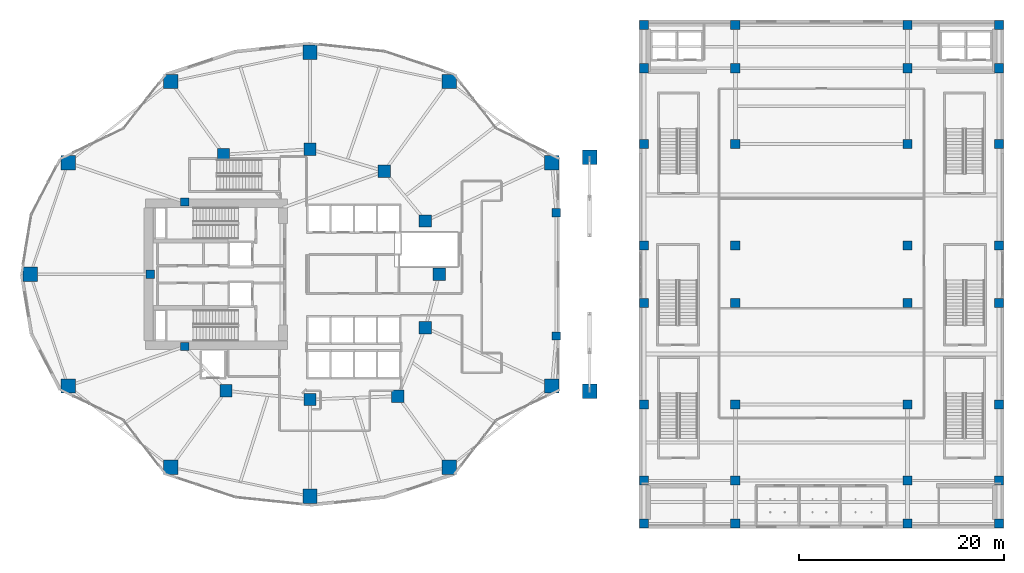
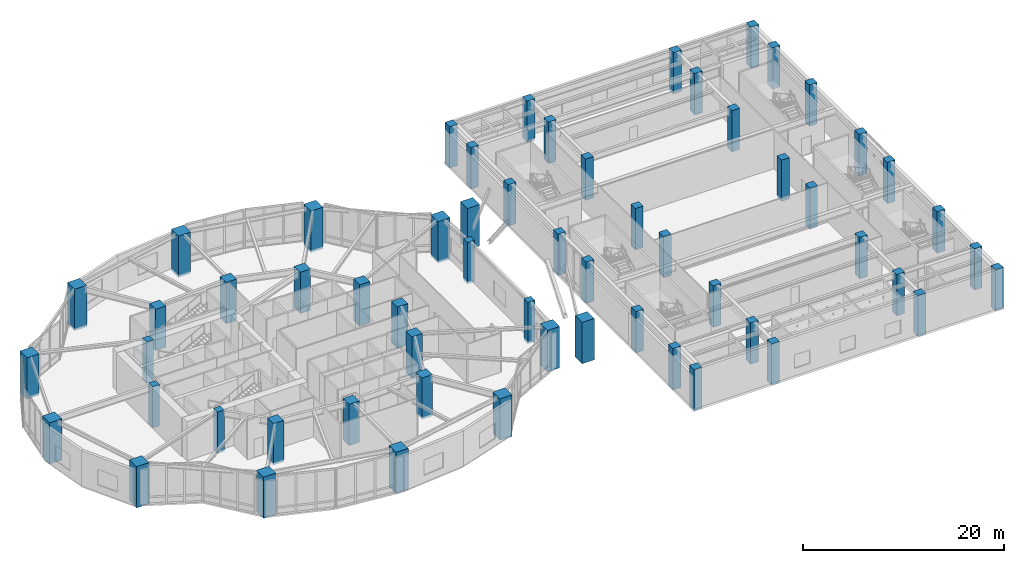
# One storey, part 1 of 24: 59 columns.
"""IFC4 building model written with IfcOpenShell, lengths in metres."""

from ifc_helpers import new_model, si_unit, direction, frame, origin, origin_2d, place, context, subcontext, project, spatial, rectangle, extrude, material, material_profile, profile_set, type_object, element, save


model = new_model("IFC4")

# Units and contexts
model_context = context("Model", 3, precision=1e-05, world=origin(), true_north=direction((0.0, 1.0)))
body_context = subcontext(model_context, "Body", "Model", "MODEL_VIEW")
ifc_project = project(units=[si_unit("LENGTHUNIT", "METRE"), si_unit("AREAUNIT", "SQUARE_METRE"), si_unit("VOLUMEUNIT", "CUBIC_METRE"), si_unit("PLANEANGLEUNIT", "RADIAN"), si_unit("MASSUNIT", "GRAM", prefix="KILO")], contexts=[model_context])

# Site, building, storey
site_placement = place(None, origin())
site = spatial("IfcSite", under=ifc_project, at=site_placement, CompositionType="ELEMENT")
building_placement = place(site_placement, origin())
building = spatial("IfcBuilding", under=site, at=building_placement, Name="Kolvaren Gate Tower and Convention Centre", CompositionType="ELEMENT")
storey_placement = place(building_placement, frame((0.0, 0.0, 10.0)))
storey = spatial("IfcBuildingStorey", under=building, at=storey_placement, Name="L02", CompositionType="ELEMENT", Elevation=10.0)

# Columns
ifc_material_1 = material(Name="Concrete C70/85", Category="concrete")
ifc_material_profile_1 = material_profile(ifc_material_1, rectangle(XDim=1.199951171875, YDim=1.199951171875, at=origin_2d()), Name="RC-COL-1200X1200")
ifc_profile_set_1 = profile_set([ifc_material_profile_1], Name="Concrete C70/85")
column_type_1 = type_object("IfcColumnType", Name="STR-COL-RC1200", PredefinedType="COLUMN", material=ifc_profile_set_1)
for number, where, z_axis, x_axis, name in (
    (1, (42.72509765625, 27.0, -0.260009765625), (0.0, 0.0, 1.0), (1.0, 0.0, 0.0), "Tower L02 Interior Column TI-01"),
    (2, (41.382080078125, 32.199462890625, -0.260009765625), (0.0, 0.0, 1.0), (1.0, 0.0, 0.0), "Tower L02 Interior Column TI-02"),
    (3, (37.381591796875, 37.054931640625, -0.260009765625), (0.0, 0.0, 1.0), (1.0, 0.0, 0.0), "Tower L02 Interior Column TI-03"),
    (4, (30.125, 39.199951171875, -0.260009765625), (0.0, 0.0, 1.0), (1.0, 0.0, 0.0), "Tower L02 Interior Column TI-04"),
    (5, (21.697998046875, 38.6767578125, -0.260009765625), (0.0, 0.0, 1.0), (1.0, 0.0, 0.0), "Tower L02 Interior Column TI-05"),
    (6, (21.93212890625, 15.647705078125, -0.260009765625), (0.0, 0.0, 1.0), (1.0, 0.0, 0.0), "Tower L02 Interior Column TI-06"),
    (7, (30.125, 14.800048828125, -0.260009765625), (0.0, 0.0, 1.0), (1.0, 0.0, 0.0), "Tower L02 Interior Column TI-07"),
    (8, (38.6982421875, 15.12060546875, -0.260009765625), (0.0, 0.0, 1.0), (1.0, 0.0, 0.0), "Tower L02 Interior Column TI-08"),
    (9, (41.382080078125, 21.800537109375, -0.260009765625), (0.0, 0.0, 1.0), (1.0, 0.0, 0.0), "Tower L02 Interior Column TI-09"),
):
    element("IfcColumn", number, at=place(storey_placement, frame(where, z_axis=z_axis, x_axis=x_axis)), inside=storey, type_object=column_type_1, Name=name, PredefinedType="COLUMN", context=body_context, shape_type="SweptSolid", body=[
        extrude(rectangle(XDim=1.199951171875, YDim=1.199951171875, at=origin_2d()), origin(), (0.0, 0.0, 1.0), 5.02001953125),
    ])
ifc_material_profile_2 = material_profile(ifc_material_1, rectangle(XDim=1.39990234375, YDim=1.39990234375, at=origin_2d()), Name="RC-COL-1400X1400")
ifc_profile_set_2 = profile_set([ifc_material_profile_2], Name="Concrete C70/85")
column_type_2 = type_object("IfcColumnType", Name="STR-COL-RC1400", PredefinedType="COLUMN", material=ifc_profile_set_2)
for number, where, z_axis, x_axis, name in (
    (10, (53.710205078125, 37.8935546875, -0.260009765625), (0.0, 0.0, 1.0), (1.0, 0.0, 0.0), "Tower L02 Perimeter Supercolumn TP-02"),
    (11, (43.690185546875, 45.79638671875, -0.260009765625), (0.0, 0.0, 1.0), (1.0, 0.0, 0.0), "Tower L02 Perimeter Supercolumn TP-03"),
    (12, (30.125, 48.64990234375, -0.260009765625), (0.0, 0.0, 1.0), (1.0, 0.0, 0.0), "Tower L02 Perimeter Supercolumn TP-04"),
    (13, (16.559814453125, 45.79638671875, -0.260009765625), (0.0, 0.0, 1.0), (1.0, 0.0, 0.0), "Tower L02 Perimeter Supercolumn TP-05"),
    (14, (6.539794921875, 37.8935546875, -0.260009765625), (0.0, 0.0, 1.0), (1.0, 0.0, 0.0), "Tower L02 Perimeter Supercolumn TP-06"),
    (15, (2.85009765625, 27.0, -0.260009765625), (0.0, 0.0, 1.0), (1.0, 0.0, 0.0), "Tower L02 Perimeter Supercolumn TP-07"),
    (16, (6.539794921875, 16.1064453125, -0.260009765625), (0.0, 0.0, 1.0), (1.0, 0.0, 0.0), "Tower L02 Perimeter Supercolumn TP-08"),
    (17, (16.559814453125, 8.20361328125, -0.260009765625), (0.0, 0.0, 1.0), (1.0, 0.0, 0.0), "Tower L02 Perimeter Supercolumn TP-09"),
    (18, (30.125, 5.35009765625, -0.260009765625), (0.0, 0.0, 1.0), (1.0, 0.0, 0.0), "Tower L02 Perimeter Supercolumn TP-10"),
    (19, (43.690185546875, 8.20361328125, -0.260009765625), (0.0, 0.0, 1.0), (1.0, 0.0, 0.0), "Tower L02 Perimeter Supercolumn TP-11"),
    (20, (53.710205078125, 16.1064453125, -0.260009765625), (0.0, 0.0, 1.0), (1.0, 0.0, 0.0), "Tower L02 Perimeter Supercolumn TP-12"),
    (21, (57.39990234375, 15.60009765625, -0.260009765625), (0.0, 0.0, 1.0), (1.0, 0.0, 0.0), "Monumental Arch Skewback Pier AP-1 (L02)"),
    (22, (57.39990234375, 38.39990234375, -0.260009765625), (0.0, 0.0, 1.0), (1.0, 0.0, 0.0), "Monumental Arch Skewback Pier AP-2 (L02)"),
):
    element("IfcColumn", number, at=place(storey_placement, frame(where, z_axis=z_axis, x_axis=x_axis)), inside=storey, type_object=column_type_2, Name=name, PredefinedType="COLUMN", context=body_context, shape_type="SweptSolid", body=[
        extrude(rectangle(XDim=1.39990234375, YDim=1.39990234375, at=origin_2d()), origin(), (0.0, 0.0, 1.0), 5.02001953125),
    ])
ifc_material_2 = material(Name="Concrete C60/75", Category="concrete")
ifc_material_profile_3 = material_profile(ifc_material_2, rectangle(XDim=0.89990234375, YDim=0.89990234375, at=origin_2d()), Name="RC-COL-900X900")
ifc_profile_set_3 = profile_set([ifc_material_profile_3], Name="Concrete C60/75")
column_type_3 = type_object("IfcColumnType", Name="STR-COL-RC900", PredefinedType="COLUMN", material=ifc_profile_set_3)
for number, where, z_axis, x_axis, name in (
    (23, (62.699951171875, 2.699951171875, -0.260009765625), (0.0, 0.0, 1.0), (1.0, 0.0, 0.0), "Convention L02 Column CC-11"),
    (24, (62.699951171875, 6.89990234375, -0.260009765625), (0.0, 0.0, 1.0), (1.0, 0.0, 0.0), "Convention L02 Column CC-12"),
    (25, (62.699951171875, 14.300048828125, -0.260009765625), (0.0, 0.0, 1.0), (1.0, 0.0, 0.0), "Convention L02 Column CC-13"),
    (26, (62.699951171875, 24.199951171875, -0.260009765625), (0.0, 0.0, 1.0), (1.0, 0.0, 0.0), "Convention L02 Column CC-14"),
    (27, (62.699951171875, 29.800048828125, -0.260009765625), (0.0, 0.0, 1.0), (1.0, 0.0, 0.0), "Convention L02 Column CC-15"),
    (28, (62.699951171875, 39.699951171875, -0.260009765625), (0.0, 0.0, 1.0), (1.0, 0.0, 0.0), "Convention L02 Column CC-16"),
    (29, (62.699951171875, 47.10009765625, -0.260009765625), (0.0, 0.0, 1.0), (1.0, 0.0, 0.0), "Convention L02 Column CC-17"),
    (30, (62.699951171875, 51.300048828125, -0.260009765625), (0.0, 0.0, 1.0), (1.0, 0.0, 0.0), "Convention L02 Column CC-18"),
    (31, (71.60009765625, 2.699951171875, -0.260009765625), (0.0, 0.0, 1.0), (1.0, 0.0, 0.0), "Convention L02 Column CC-21"),
    (32, (71.60009765625, 6.89990234375, -0.260009765625), (0.0, 0.0, 1.0), (1.0, 0.0, 0.0), "Convention L02 Column CC-22"),
    (33, (71.60009765625, 14.300048828125, -0.260009765625), (0.0, 0.0, 1.0), (1.0, 0.0, 0.0), "Convention L02 Column CC-23"),
    (34, (71.60009765625, 24.199951171875, -0.260009765625), (0.0, 0.0, 1.0), (1.0, 0.0, 0.0), "Convention L02 Column CC-24"),
    (35, (71.60009765625, 29.800048828125, -0.260009765625), (0.0, 0.0, 1.0), (1.0, 0.0, 0.0), "Convention L02 Column CC-25"),
    (36, (71.60009765625, 39.699951171875, -0.260009765625), (0.0, 0.0, 1.0), (1.0, 0.0, 0.0), "Convention L02 Column CC-26"),
    (37, (71.60009765625, 47.10009765625, -0.260009765625), (0.0, 0.0, 1.0), (1.0, 0.0, 0.0), "Convention L02 Column CC-27"),
    (38, (71.60009765625, 51.300048828125, -0.260009765625), (0.0, 0.0, 1.0), (1.0, 0.0, 0.0), "Convention L02 Column CC-28"),
    (39, (88.39990234375, 2.699951171875, -0.260009765625), (0.0, 0.0, 1.0), (1.0, 0.0, 0.0), "Convention L02 Column CC-31"),
    (40, (88.39990234375, 6.89990234375, -0.260009765625), (0.0, 0.0, 1.0), (1.0, 0.0, 0.0), "Convention L02 Column CC-32"),
    (41, (88.39990234375, 14.300048828125, -0.260009765625), (0.0, 0.0, 1.0), (1.0, 0.0, 0.0), "Convention L02 Column CC-33"),
    (42, (88.39990234375, 24.199951171875, -0.260009765625), (0.0, 0.0, 1.0), (1.0, 0.0, 0.0), "Convention L02 Column CC-34"),
    (43, (88.39990234375, 29.800048828125, -0.260009765625), (0.0, 0.0, 1.0), (1.0, 0.0, 0.0), "Convention L02 Column CC-35"),
    (44, (88.39990234375, 39.699951171875, -0.260009765625), (0.0, 0.0, 1.0), (1.0, 0.0, 0.0), "Convention L02 Column CC-36"),
    (45, (88.39990234375, 47.10009765625, -0.260009765625), (0.0, 0.0, 1.0), (1.0, 0.0, 0.0), "Convention L02 Column CC-37"),
    (46, (88.39990234375, 51.300048828125, -0.260009765625), (0.0, 0.0, 1.0), (1.0, 0.0, 0.0), "Convention L02 Column CC-38"),
    (47, (97.300048828125, 2.699951171875, -0.260009765625), (0.0, 0.0, 1.0), (1.0, 0.0, 0.0), "Convention L02 Column CC-41"),
    (48, (97.300048828125, 6.89990234375, -0.260009765625), (0.0, 0.0, 1.0), (1.0, 0.0, 0.0), "Convention L02 Column CC-42"),
    (49, (97.300048828125, 14.300048828125, -0.260009765625), (0.0, 0.0, 1.0), (1.0, 0.0, 0.0), "Convention L02 Column CC-43"),
    (50, (97.300048828125, 24.199951171875, -0.260009765625), (0.0, 0.0, 1.0), (1.0, 0.0, 0.0), "Convention L02 Column CC-44"),
    (51, (97.300048828125, 29.800048828125, -0.260009765625), (0.0, 0.0, 1.0), (1.0, 0.0, 0.0), "Convention L02 Column CC-45"),
    (52, (97.300048828125, 39.699951171875, -0.260009765625), (0.0, 0.0, 1.0), (1.0, 0.0, 0.0), "Convention L02 Column CC-46"),
    (53, (97.300048828125, 47.10009765625, -0.260009765625), (0.0, 0.0, 1.0), (1.0, 0.0, 0.0), "Convention L02 Column CC-47"),
    (54, (97.300048828125, 51.300048828125, -0.260009765625), (0.0, 0.0, 1.0), (1.0, 0.0, 0.0), "Convention L02 Column CC-48"),
):
    element("IfcColumn", number, at=place(storey_placement, frame(where, z_axis=z_axis, x_axis=x_axis)), inside=storey, type_object=column_type_3, Name=name, PredefinedType="COLUMN", context=body_context, shape_type="SweptSolid", body=[
        extrude(rectangle(XDim=0.89990234375, YDim=0.89990234375, at=origin_2d()), origin(), (0.0, 0.0, 1.0), 5.02001953125),
    ])
ifc_material_profile_4 = material_profile(ifc_material_2, rectangle(XDim=0.800048828125, YDim=0.800048828125, at=origin_2d()), Name="RC-COL-800X800")
ifc_profile_set_4 = profile_set([ifc_material_profile_4], Name="Concrete C60/75")
column_type_4 = type_object("IfcColumnType", Name="STR-PIL-RC800", PredefinedType="PILASTER", material=ifc_profile_set_4)
for number, where, z_axis, x_axis, name in (
    (55, (54.14990234375, 21.0, -0.260009765625), (0.0, 0.0, 1.0), (1.0, 0.0, 0.0), "Arch Portal Pilaster CP-1 (L02)"),
    (56, (54.14990234375, 33.0, -0.260009765625), (0.0, 0.0, 1.0), (1.0, 0.0, 0.0), "Arch Portal Pilaster CP-2 (L02)"),
    (57, (17.9140625, 34.050048828125, -0.260009765625), (0.0, 0.0, 1.0), (1.0, 0.0, 0.0), "Tower L02 Core Boundary Pilaster TC-05"),
    (58, (14.550048828125, 27.0, -0.260009765625), (0.0, 0.0, 1.0), (1.0, 0.0, 0.0), "Tower L02 Core Boundary Pilaster TC-06"),
    (59, (17.9140625, 19.949951171875, -0.260009765625), (0.0, 0.0, 1.0), (1.0, 0.0, 0.0), "Tower L02 Core Boundary Pilaster TC-07"),
):
    element("IfcColumn", number, at=place(storey_placement, frame(where, z_axis=z_axis, x_axis=x_axis)), inside=storey, type_object=column_type_4, Name=name, PredefinedType="PILASTER", context=body_context, shape_type="SweptSolid", body=[
        extrude(rectangle(XDim=0.800048828125, YDim=0.800048828125, at=origin_2d()), origin(), (0.0, 0.0, 1.0), 5.02001953125),
    ])

save(model, "model.ifc")
